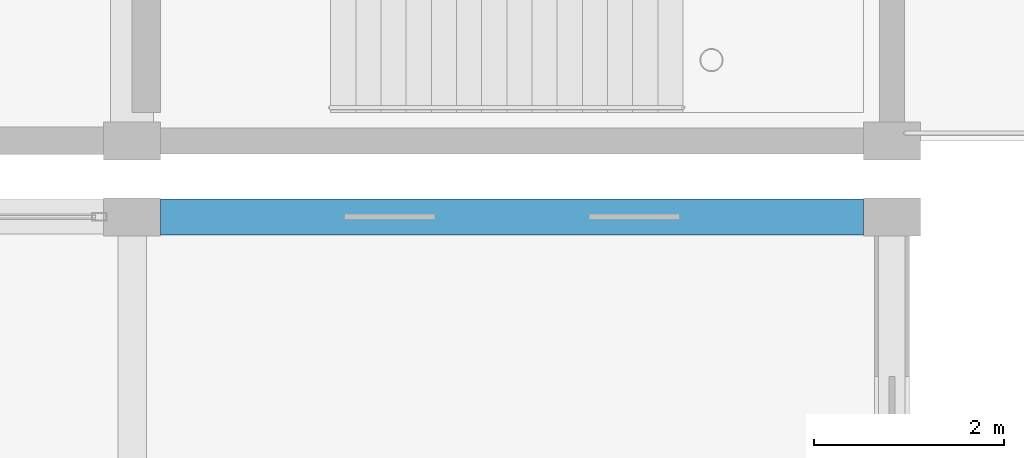
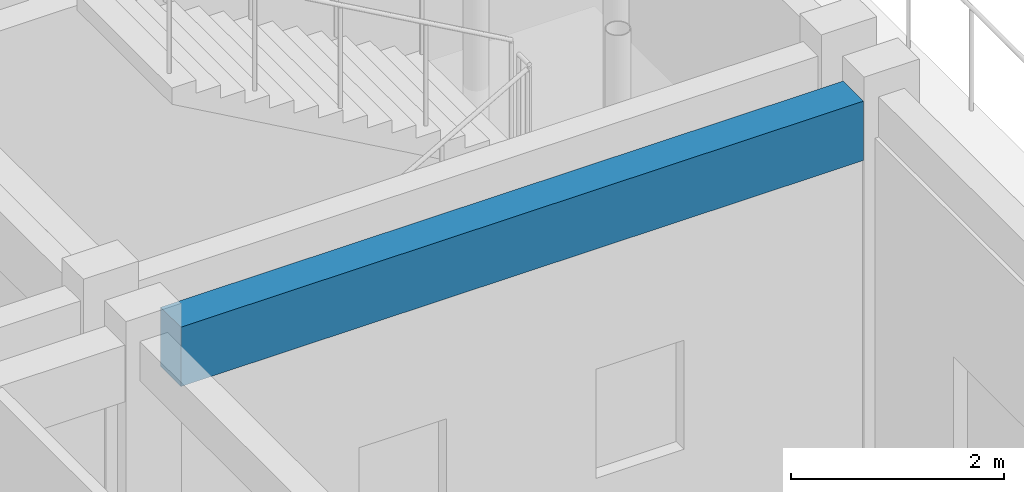
# One storey, part 51 of 160: 1 beam.
"""IFC4 building model written with IfcOpenShell, lengths in metres."""

from ifc_helpers import new_model, si_unit, direction, frame, origin, origin_2d, place, context, subcontext, project, spatial, rectangle, extrude, material, material_profile, profile_set, type_object, element, save


model = new_model("IFC4")

# Units and contexts
model_context = context("Model", 3, precision=1e-05, world=origin(), true_north=direction((0.0, 1.0)))
body_context = subcontext(model_context, "Body", "Model", "MODEL_VIEW")
ifc_project = project(units=[si_unit("LENGTHUNIT", "METRE"), si_unit("AREAUNIT", "SQUARE_METRE"), si_unit("VOLUMEUNIT", "CUBIC_METRE"), si_unit("PLANEANGLEUNIT", "RADIAN"), si_unit("MASSUNIT", "GRAM", prefix="KILO")], contexts=[model_context])

# Site, building, storey
site_placement = place(None, origin())
site = spatial("IfcSite", under=ifc_project, at=site_placement, CompositionType="ELEMENT")
building_placement = place(site_placement, origin())
building = spatial("IfcBuilding", under=site, at=building_placement, Name="Kharva Crest Polytechnic", CompositionType="ELEMENT")
storey_placement = place(building_placement, frame((0.0, 0.0, 4.5)))
storey = spatial("IfcBuildingStorey", under=building, at=storey_placement, Name="L01", CompositionType="ELEMENT", Elevation=4.5)

# Beam
ifc_material = material(Name="Concrete C35/45", Category="concrete")
ifc_material_profile = material_profile(ifc_material, rectangle(XDim=0.3798828125, YDim=0.679931640625, at=origin_2d()), Name="RECT 380 X 680")
ifc_profile_set = profile_set([ifc_material_profile], Name="Concrete C35/45")
beam_type = type_object("IfcBeamType", Name="SP-RC-380X680", PredefinedType="SPANDREL", material=ifc_profile_set)
beam_placement = place(storey_placement, frame((40.300048828125, 38.0, 3.8798828125), z_axis=(1.0, 0.0, 0.0), x_axis=(0.0, 1.0, 0.0)))
element("IfcBeam", 1, at=beam_placement, inside=storey, type_object=beam_type, Name="L01 Beam F/6-7", PredefinedType="SPANDREL", context=body_context, shape_type="SweptSolid", body=[
    extrude(rectangle(XDim=0.3798828125, YDim=0.679931640625, at=origin_2d()), origin(), (0.0, 0.0, 1.0), 7.39990234375),
])

save(model, "model.ifc")
